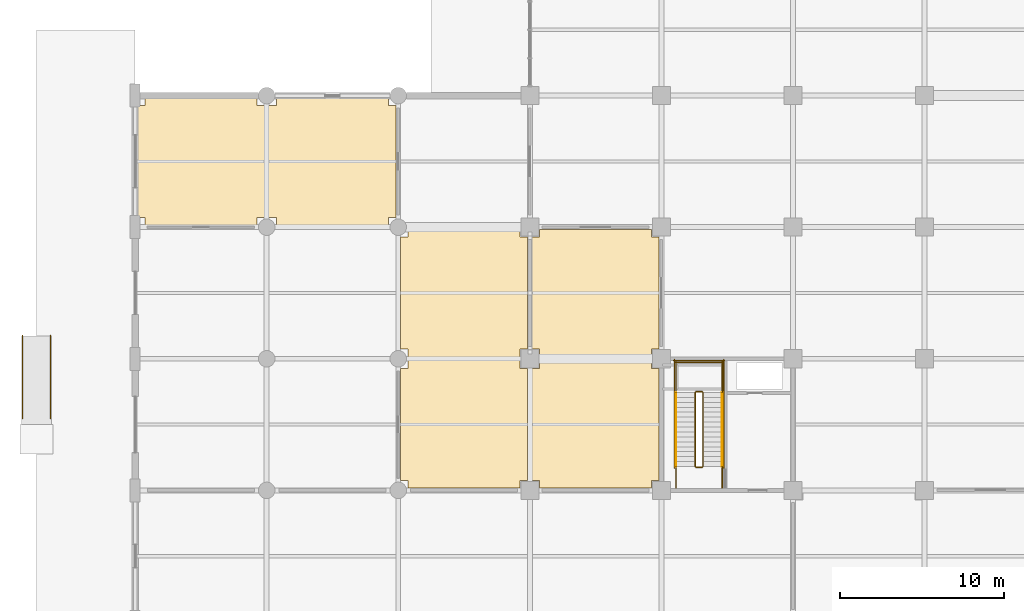
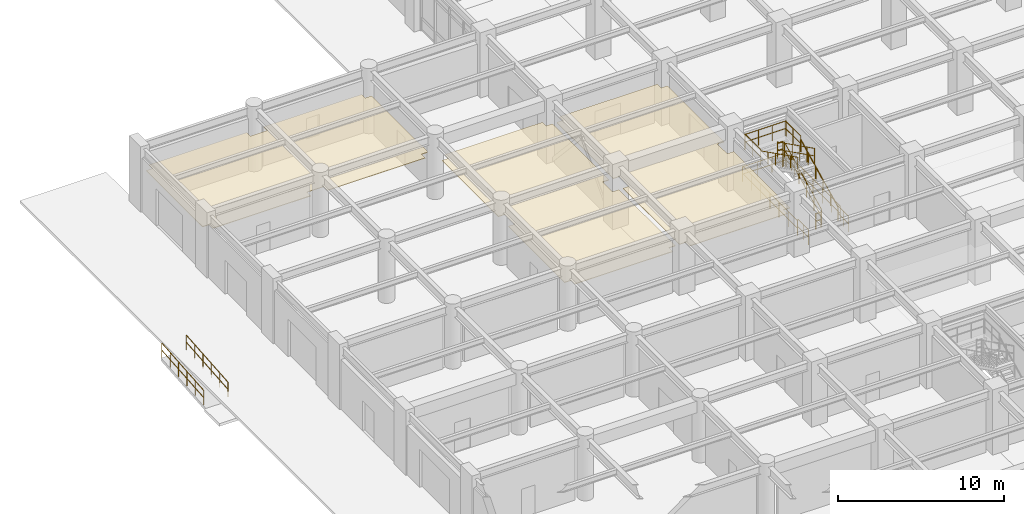
# One storey, part 120 of 125: 16 railings, 3 coverings.
"""IFC4 building model written with IfcOpenShell, lengths in metres."""

from ifc_helpers import new_model, si_unit, direction, frame, origin, origin_2d, place, context, subcontext, project, spatial, polyline, circle, outline, extrude, material, layer, layer_set, type_object, element, save


model = new_model("IFC4")

# Units and contexts
model_context = context("Model", 3, precision=1e-05, world=origin(), true_north=direction((0.0, 1.0)))
body_context = subcontext(model_context, "Body", "Model", "MODEL_VIEW")
ifc_project = project(units=[si_unit("LENGTHUNIT", "METRE"), si_unit("AREAUNIT", "SQUARE_METRE"), si_unit("VOLUMEUNIT", "CUBIC_METRE"), si_unit("PLANEANGLEUNIT", "RADIAN"), si_unit("MASSUNIT", "GRAM", prefix="KILO")], contexts=[model_context])

# Site, building, storey
site_placement = place(None, origin())
site = spatial("IfcSite", under=ifc_project, at=site_placement, CompositionType="ELEMENT")
building_placement = place(site_placement, origin())
building = spatial("IfcBuilding", under=site, at=building_placement, Name="Haebicheon Civic Stadium", CompositionType="ELEMENT")
storey_placement = place(building_placement, origin())
storey = spatial("IfcBuildingStorey", under=building, at=storey_placement, Name="L01", CompositionType="ELEMENT", Elevation=0.0)

# Coverings
ifc_material_1 = material(Name="Perforated mineral-fibre acoustic board", Category="gypsum")
ifc_layer = layer(ifc_material_1, 0.0400390625, Name="Perforated mineral-fibre acoustic board")
ifc_layer_set = layer_set([ifc_layer], Name="Perforated mineral-fibre acoustic board")
covering_type = type_object("IfcCoveringType", Name="COV-CLG-AC", PredefinedType="CEILING", material=ifc_layer_set)
covering_1_placement = place(storey_placement, frame((0.0, 0.0, 2.81005859375)))
element("IfcCovering", 1, at=covering_1_placement, inside=storey, type_object=covering_type, material=ifc_layer_set, Name="L01 Main Spectator Concourse acoustic ceiling", PredefinedType="CEILING", context=body_context, shape_type="SweptSolid", body=[
    extrude(outline(polyline([(24.594970703125, 128.14501953125), (24.594970703125, 128.594970703125), (24.14501953125, 128.594970703125), (24.14501953125, 135.405029296875), (24.594970703125, 135.405029296875), (24.594970703125, 136.594970703125), (24.14501953125, 136.594970703125), (24.14501953125, 143.405029296875), (24.594970703125, 143.405029296875), (24.594970703125, 143.85498046875), (31.405029296875, 143.85498046875), (31.405029296875, 143.405029296875), (31.85498046875, 143.405029296875), (31.85498046875, 136.594970703125), (31.405029296875, 136.594970703125), (31.405029296875, 135.405029296875), (31.85498046875, 135.405029296875), (31.85498046875, 128.594970703125), (31.405029296875, 128.594970703125), (31.405029296875, 128.14501953125), (24.594970703125, 128.14501953125)])), origin(), (0.0, 0.0, 1.0), 0.0400390625),
])
covering_2_placement = place(storey_placement, frame((0.0, 0.0, 2.81005859375)))
element("IfcCovering", 2, at=covering_2_placement, inside=storey, type_object=covering_type, material=ifc_layer_set, Name="L01 Civic Sports Exhibition Gallery acoustic ceiling", PredefinedType="CEILING", context=body_context, shape_type="SweptSolid", body=[
    extrude(outline(polyline([(0.14501953125, 151.405029296875), (0.594970703125, 151.405029296875), (0.594970703125, 151.85498046875), (7.405029296875, 151.85498046875), (7.405029296875, 151.405029296875), (8.594970703125, 151.405029296875), (8.594970703125, 151.85498046875), (15.405029296875, 151.85498046875), (15.405029296875, 151.405029296875), (15.85498046875, 151.405029296875), (15.85498046875, 144.594970703125), (15.405029296875, 144.594970703125), (15.405029296875, 144.14501953125), (8.594970703125, 144.14501953125), (8.594970703125, 144.594970703125), (7.405029296875, 144.594970703125), (7.405029296875, 144.14501953125), (0.594970703125, 144.14501953125), (0.594970703125, 144.594970703125), (0.14501953125, 144.594970703125), (0.14501953125, 151.405029296875)])), origin(), (0.0, 0.0, 1.0), 0.0400390625),
])
covering_3_placement = place(storey_placement, frame((0.0, 0.0, 2.81005859375)))
element("IfcCovering", 3, at=covering_3_placement, inside=storey, type_object=covering_type, material=ifc_layer_set, Name="L01 Supporters' Cafe acoustic ceiling", PredefinedType="CEILING", context=body_context, shape_type="SweptSolid", body=[
    extrude(outline(polyline([(16.594970703125, 128.14501953125), (16.594970703125, 128.594970703125), (16.14501953125, 128.594970703125), (16.14501953125, 135.405029296875), (16.594970703125, 135.405029296875), (16.594970703125, 136.594970703125), (16.14501953125, 136.594970703125), (16.14501953125, 143.405029296875), (16.594970703125, 143.405029296875), (16.594970703125, 143.85498046875), (23.405029296875, 143.85498046875), (23.405029296875, 143.405029296875), (23.85498046875, 143.405029296875), (23.85498046875, 136.594970703125), (23.405029296875, 136.594970703125), (23.405029296875, 135.405029296875), (23.85498046875, 135.405029296875), (23.85498046875, 128.594970703125), (23.405029296875, 128.594970703125), (23.405029296875, 128.14501953125), (16.594970703125, 128.14501953125)])), origin(), (0.0, 0.0, 1.0), 0.0400390625),
])

# Railings
ifc_material_2 = material(Name="Stainless steel 316 and laminated glass", Category="steel")
railing_type_1 = type_object("IfcRailingType", Name="RL-BAL-1200", PredefinedType="BALUSTRADE", material=ifc_material_2)
for number, where, name in (
    (4, (-6.85009765625, 132.360107421875, -0.419921875), "Ramp handrail guard RMP-03 L"),
    (5, (-5.14990234375, 132.360107421875, -0.419921875), "Ramp handrail guard RMP-03 R"),
):
    element("IfcRailing", number, at=place(storey_placement, frame(where)), inside=storey, type_object=railing_type_1, material=ifc_material_2, Name=name, PredefinedType="BALUSTRADE", context=body_context, shape_type="SweptSolid", body=[
        extrude(circle(Radius=0.02392578125, at=origin_2d()), frame((0.0, 0.0, 1.076171875), z_axis=(0.0, 0.996546756972, 0.083033494259), x_axis=(-1.0, 0.0, 0.0)), (0.0, 0.0, 1.0), 5.057373046875),
        extrude(circle(Radius=0.02392578125, at=origin_2d()), frame((0.0, 0.0, 0.550048828125), z_axis=(0.0, 0.996546756972, 0.083033494259), x_axis=(-1.0, 0.0, 0.0)), (0.0, 0.0, 1.0), 5.057373046875),
        extrude(circle(Radius=0.02099609375, at=origin_2d()), origin(), (0.0, 0.0, 1.0), 1.052001953125),
        extrude(circle(Radius=0.02099609375, at=origin_2d()), frame((0.0, 1.008056640625, 0.083984375)), (0.0, 0.0, 1.0), 1.052001953125),
        extrude(circle(Radius=0.02099609375, at=origin_2d()), frame((0.0, 2.015869140625, 0.16796875)), (0.0, 0.0, 1.0), 1.052001953125),
        extrude(circle(Radius=0.02099609375, at=origin_2d()), frame((0.0, 3.02392578125, 0.251953125)), (0.0, 0.0, 1.0), 1.052001953125),
        extrude(circle(Radius=0.02099609375, at=origin_2d()), frame((0.0, 4.03173828125, 0.3359375)), (0.0, 0.0, 1.0), 1.052001953125),
        extrude(circle(Radius=0.02099609375, at=origin_2d()), frame((0.0, 5.039794921875, 0.419921875)), (0.0, 0.0, 1.0), 1.052001953125),
    ])
ifc_material_3 = material(Name="Galvanised painted steel SM355", Category="steel")
railing_type_2 = type_object("IfcRailingType", Name="RL-GRD-1150", PredefinedType="GUARDRAIL", material=ifc_material_3)
railing_1_placement = place(storey_placement, frame((34.530029296875, 129.449951171875, 0.14990234375)))
element("IfcRailing", 6, at=railing_1_placement, inside=storey, type_object=railing_type_2, material=ifc_material_3, Name="L01 ST-05 stair guard 1", PredefinedType="GUARDRAIL", context=body_context, shape_type="SweptSolid", body=[
    extrude(circle(Radius=0.02392578125, at=origin_2d()), frame((0.0, 0.0, 1.1259765625), z_axis=(0.0, 0.894427191, 0.4472135955), x_axis=(-1.0, 0.0, 0.0)), (0.0, 0.0, 1.0), 5.03125),
    extrude(circle(Radius=0.02392578125, at=origin_2d()), frame((0.0, 0.0, 0.574951171875), z_axis=(0.0, 0.894427191, 0.4472135955), x_axis=(-1.0, 0.0, 0.0)), (0.0, 0.0, 1.0), 5.03125),
    extrude(circle(Radius=0.02099609375, at=origin_2d()), origin(), (0.0, 0.0, 1.0), 1.101806640625),
    extrude(circle(Radius=0.02099609375, at=origin_2d()), frame((0.0, 0.89990234375, 0.449951171875)), (0.0, 0.0, 1.0), 1.101806640625),
    extrude(circle(Radius=0.02099609375, at=origin_2d()), frame((0.0, 1.800048828125, 0.89990234375)), (0.0, 0.0, 1.0), 1.101806640625),
    extrude(circle(Radius=0.02099609375, at=origin_2d()), frame((0.0, 2.699951171875, 1.35009765625)), (0.0, 0.0, 1.0), 1.101806640625),
    extrude(circle(Radius=0.02099609375, at=origin_2d()), frame((0.0, 3.60009765625, 1.800048828125)), (0.0, 0.0, 1.0), 1.101806640625),
    extrude(circle(Radius=0.02099609375, at=origin_2d()), frame((0.0, 4.5, 2.25)), (0.0, 0.0, 1.0), 1.101806640625),
])
railing_2_placement = place(storey_placement, frame((34.47998046875, 134.0, 2.39990234375)))
element("IfcRailing", 7, at=railing_2_placement, inside=storey, type_object=railing_type_2, material=ifc_material_3, Name="L01 ST-05 stair guard 2", PredefinedType="GUARDRAIL", context=body_context, shape_type="SweptSolid", body=[
    extrude(circle(Radius=0.02392578125, at=origin_2d()), frame((0.0, 0.0, 1.1259765625), z_axis=(-1.0, 0.0, 0.0), x_axis=(0.0, -1.0, 0.0)), (0.0, 0.0, 1.0), 0.3798828125),
    extrude(circle(Radius=0.02392578125, at=origin_2d()), frame((0.0, 0.0, 0.574951171875), z_axis=(-1.0, 0.0, 0.0), x_axis=(0.0, -1.0, 0.0)), (0.0, 0.0, 1.0), 0.3798828125),
    extrude(circle(Radius=0.02099609375, at=origin_2d()), origin(), (0.0, 0.0, 1.0), 1.101806640625),
    extrude(circle(Radius=0.02099609375, at=origin_2d()), frame((-0.3798828125, 0.0, 0.0)), (0.0, 0.0, 1.0), 1.101806640625),
])
for number, where, name in (
    (8, (35.68994140625, 133.949951171875, 2.39990234375), "L01 ST-05 stair guard 3"),
    (9, (32.889892578125, 133.949951171875, 2.39990234375), "L01 ST-05 stair guard 4"),
):
    element("IfcRailing", number, at=place(storey_placement, frame(where)), inside=storey, type_object=railing_type_2, material=ifc_material_3, Name=name, PredefinedType="GUARDRAIL", context=body_context, shape_type="SweptSolid", body=[
        extrude(circle(Radius=0.02392578125, at=origin_2d()), frame((0.0, 0.0, 1.1259765625), z_axis=(0.0, 1.0, 0.0), x_axis=(-1.0, 0.0, 0.0)), (0.0, 0.0, 1.0), 1.89013671875),
        extrude(circle(Radius=0.02392578125, at=origin_2d()), frame((0.0, 0.0, 0.574951171875), z_axis=(0.0, 1.0, 0.0), x_axis=(-1.0, 0.0, 0.0)), (0.0, 0.0, 1.0), 1.89013671875),
        extrude(circle(Radius=0.02099609375, at=origin_2d()), origin(), (0.0, 0.0, 1.0), 1.101806640625),
        extrude(circle(Radius=0.02099609375, at=origin_2d()), frame((0.0, 0.945068359375, 0.0)), (0.0, 0.0, 1.0), 1.101806640625),
        extrude(circle(Radius=0.02099609375, at=origin_2d()), frame((0.0, 1.89013671875, 0.0)), (0.0, 0.0, 1.0), 1.101806640625),
    ])
railing_3_placement = place(storey_placement, frame((35.739990234375, 135.7900390625, 2.39990234375)))
element("IfcRailing", 10, at=railing_3_placement, inside=storey, type_object=railing_type_2, material=ifc_material_3, Name="L01 ST-05 stair guard 5", PredefinedType="GUARDRAIL", context=body_context, shape_type="SweptSolid", body=[
    extrude(circle(Radius=0.02392578125, at=origin_2d()), frame((0.0, 0.0, 1.1259765625), z_axis=(-1.0, 0.0, 0.0), x_axis=(0.0, -1.0, 0.0)), (0.0, 0.0, 1.0), 2.89990234375),
    extrude(circle(Radius=0.02392578125, at=origin_2d()), frame((0.0, 0.0, 0.574951171875), z_axis=(-1.0, 0.0, 0.0), x_axis=(0.0, -1.0, 0.0)), (0.0, 0.0, 1.0), 2.89990234375),
    extrude(circle(Radius=0.02099609375, at=origin_2d()), origin(), (0.0, 0.0, 1.0), 1.101806640625),
    extrude(circle(Radius=0.02099609375, at=origin_2d()), frame((-0.966552734375, 0.0, 0.0)), (0.0, 0.0, 1.0), 1.101806640625),
    extrude(circle(Radius=0.02099609375, at=origin_2d()), frame((-1.933349609375, 0.0, 0.0)), (0.0, 0.0, 1.0), 1.101806640625),
    extrude(circle(Radius=0.02099609375, at=origin_2d()), frame((-2.89990234375, 0.0, 0.0)), (0.0, 0.0, 1.0), 1.101806640625),
])
railing_4_placement = place(storey_placement, frame((34.050048828125, 133.949951171875, 2.550048828125)))
element("IfcRailing", 11, at=railing_4_placement, inside=storey, type_object=railing_type_2, material=ifc_material_3, Name="L01 ST-05 stair guard 6", PredefinedType="GUARDRAIL", context=body_context, shape_type="SweptSolid", body=[
    extrude(circle(Radius=0.02392578125, at=origin_2d()), frame((0.0, 0.0, 1.1259765625), z_axis=(0.0, -0.894427191, 0.4472135955), x_axis=(1.0, 0.0, 0.0)), (0.0, 0.0, 1.0), 5.03125),
    extrude(circle(Radius=0.02392578125, at=origin_2d()), frame((0.0, 0.0, 0.574951171875), z_axis=(0.0, -0.894427191, 0.4472135955), x_axis=(1.0, 0.0, 0.0)), (0.0, 0.0, 1.0), 5.03125),
    extrude(circle(Radius=0.02099609375, at=origin_2d()), origin(), (0.0, 0.0, 1.0), 1.101806640625),
    extrude(circle(Radius=0.02099609375, at=origin_2d()), frame((0.0, -0.89990234375, 0.449951171875)), (0.0, 0.0, 1.0), 1.101806640625),
    extrude(circle(Radius=0.02099609375, at=origin_2d()), frame((0.0, -1.800048828125, 0.89990234375)), (0.0, 0.0, 1.0), 1.101806640625),
    extrude(circle(Radius=0.02099609375, at=origin_2d()), frame((0.0, -2.699951171875, 1.35009765625)), (0.0, 0.0, 1.0), 1.101806640625),
    extrude(circle(Radius=0.02099609375, at=origin_2d()), frame((0.0, -3.60009765625, 1.800048828125)), (0.0, 0.0, 1.0), 1.101806640625),
    extrude(circle(Radius=0.02099609375, at=origin_2d()), frame((0.0, -4.5, 2.25)), (0.0, 0.0, 1.0), 1.101806640625),
])
railing_5_placement = place(storey_placement, frame((34.47998046875, 129.39990234375, 0.0)))
element("IfcRailing", 12, at=railing_5_placement, inside=storey, type_object=railing_type_2, material=ifc_material_3, Name="L01 ST-05 stair guard 7", PredefinedType="GUARDRAIL", context=body_context, shape_type="SweptSolid", body=[
    extrude(circle(Radius=0.02392578125, at=origin_2d()), frame((0.0, 0.0, 1.1259765625), z_axis=(-1.0, 0.0, 0.0), x_axis=(0.0, -1.0, 0.0)), (0.0, 0.0, 1.0), 0.3798828125),
    extrude(circle(Radius=0.02392578125, at=origin_2d()), frame((0.0, 0.0, 0.574951171875), z_axis=(-1.0, 0.0, 0.0), x_axis=(0.0, -1.0, 0.0)), (0.0, 0.0, 1.0), 0.3798828125),
    extrude(circle(Radius=0.02099609375, at=origin_2d()), origin(), (0.0, 0.0, 1.0), 1.101806640625),
    extrude(circle(Radius=0.02099609375, at=origin_2d()), frame((-0.3798828125, 0.0, 0.0)), (0.0, 0.0, 1.0), 1.101806640625),
])
for number, where, name in (
    (13, (35.68994140625, 128.159912109375, 0.0), "L01 ST-05 stair guard 8"),
    (14, (32.889892578125, 128.159912109375, 0.0), "L01 ST-05 stair guard 9"),
):
    element("IfcRailing", number, at=place(storey_placement, frame(where)), inside=storey, type_object=railing_type_2, material=ifc_material_3, Name=name, PredefinedType="GUARDRAIL", context=body_context, shape_type="SweptSolid", body=[
        extrude(circle(Radius=0.02392578125, at=origin_2d()), frame((0.0, 0.0, 1.1259765625), z_axis=(0.0, 1.0, 0.0), x_axis=(-1.0, 0.0, 0.0)), (0.0, 0.0, 1.0), 1.2900390625),
        extrude(circle(Radius=0.02392578125, at=origin_2d()), frame((0.0, 0.0, 0.574951171875), z_axis=(0.0, 1.0, 0.0), x_axis=(-1.0, 0.0, 0.0)), (0.0, 0.0, 1.0), 1.2900390625),
        extrude(circle(Radius=0.02099609375, at=origin_2d()), origin(), (0.0, 0.0, 1.0), 1.101806640625),
        extrude(circle(Radius=0.02099609375, at=origin_2d()), frame((0.0, 0.64501953125, 0.0)), (0.0, 0.0, 1.0), 1.101806640625),
        extrude(circle(Radius=0.02099609375, at=origin_2d()), frame((0.0, 1.2900390625, 0.0)), (0.0, 0.0, 1.0), 1.101806640625),
    ])
for number, where, name in (
    (15, (35.7900390625, 129.35009765625, 0.0), "L01 ST-05 stair guard 10"),
    (16, (32.7900390625, 129.35009765625, 0.0), "L01 ST-05 stair guard 11"),
):
    element("IfcRailing", number, at=place(storey_placement, frame(where)), inside=storey, type_object=railing_type_2, material=ifc_material_3, Name=name, PredefinedType="GUARDRAIL", context=body_context, shape_type="SweptSolid", body=[
        extrude(circle(Radius=0.02392578125, at=origin_2d()), frame((0.0, 0.0, 1.1259765625), z_axis=(0.0, 1.0, 0.0), x_axis=(-1.0, 0.0, 0.0)), (0.0, 0.0, 1.0), 6.58984375),
        extrude(circle(Radius=0.02392578125, at=origin_2d()), frame((0.0, 0.0, 0.574951171875), z_axis=(0.0, 1.0, 0.0), x_axis=(-1.0, 0.0, 0.0)), (0.0, 0.0, 1.0), 6.58984375),
        extrude(circle(Radius=0.02099609375, at=origin_2d()), origin(), (0.0, 0.0, 1.0), 1.101806640625),
        extrude(circle(Radius=0.02099609375, at=origin_2d()), frame((0.0, 1.098388671875, 0.0)), (0.0, 0.0, 1.0), 1.101806640625),
        extrude(circle(Radius=0.02099609375, at=origin_2d()), frame((0.0, 2.196533203125, 0.0)), (0.0, 0.0, 1.0), 1.101806640625),
        extrude(circle(Radius=0.02099609375, at=origin_2d()), frame((0.0, 3.294921875, 0.0)), (0.0, 0.0, 1.0), 1.101806640625),
        extrude(circle(Radius=0.02099609375, at=origin_2d()), frame((0.0, 4.393310546875, 0.0)), (0.0, 0.0, 1.0), 1.101806640625),
        extrude(circle(Radius=0.02099609375, at=origin_2d()), frame((0.0, 5.491455078125, 0.0)), (0.0, 0.0, 1.0), 1.101806640625),
        extrude(circle(Radius=0.02099609375, at=origin_2d()), frame((0.0, 6.58984375, 0.0)), (0.0, 0.0, 1.0), 1.101806640625),
    ])
railing_6_placement = place(storey_placement, frame((35.840087890625, 135.889892578125, 0.0)))
element("IfcRailing", 17, at=railing_6_placement, inside=storey, type_object=railing_type_2, material=ifc_material_3, Name="L01 ST-05 stair guard 12", PredefinedType="GUARDRAIL", context=body_context, shape_type="SweptSolid", body=[
    extrude(circle(Radius=0.02392578125, at=origin_2d()), frame((0.0, 0.0, 1.1259765625), z_axis=(-1.0, 0.0, 0.0), x_axis=(0.0, -1.0, 0.0)), (0.0, 0.0, 1.0), 3.10009765625),
    extrude(circle(Radius=0.02392578125, at=origin_2d()), frame((0.0, 0.0, 0.574951171875), z_axis=(-1.0, 0.0, 0.0), x_axis=(0.0, -1.0, 0.0)), (0.0, 0.0, 1.0), 3.10009765625),
    extrude(circle(Radius=0.02099609375, at=origin_2d()), origin(), (0.0, 0.0, 1.0), 1.101806640625),
    extrude(circle(Radius=0.02099609375, at=origin_2d()), frame((-1.033447265625, 0.0, 0.0)), (0.0, 0.0, 1.0), 1.101806640625),
    extrude(circle(Radius=0.02099609375, at=origin_2d()), frame((-2.066650390625, 0.0, 0.0)), (0.0, 0.0, 1.0), 1.101806640625),
    extrude(circle(Radius=0.02099609375, at=origin_2d()), frame((-3.10009765625, 0.0, 0.0)), (0.0, 0.0, 1.0), 1.101806640625),
])
ifc_material_4 = material(Name="Stainless steel 316", Category="steel")
railing_type_3 = type_object("IfcRailingType", Name="RL-HND-900", PredefinedType="HANDRAIL", material=ifc_material_4)
railing_7_placement = place(storey_placement, frame((35.68994140625, 129.449951171875, 0.14990234375)))
element("IfcRailing", 18, at=railing_7_placement, inside=storey, type_object=railing_type_3, material=ifc_material_4, Name="L01 ST-05 stair handrail 1", PredefinedType="HANDRAIL", context=body_context, shape_type="SweptSolid", body=[
    extrude(circle(Radius=0.02392578125, at=origin_2d()), frame((0.0, 0.0, 0.8759765625), z_axis=(0.0, 0.894427191, 0.4472135955), x_axis=(-1.0, 0.0, 0.0)), (0.0, 0.0, 1.0), 5.03125),
    extrude(circle(Radius=0.02099609375, at=origin_2d()), origin(), (0.0, 0.0, 1.0), 0.851806640625),
    extrude(circle(Radius=0.02099609375, at=origin_2d()), frame((0.0, 0.89990234375, 0.449951171875)), (0.0, 0.0, 1.0), 0.851806640625),
    extrude(circle(Radius=0.02099609375, at=origin_2d()), frame((0.0, 1.800048828125, 0.89990234375)), (0.0, 0.0, 1.0), 0.851806640625),
    extrude(circle(Radius=0.02099609375, at=origin_2d()), frame((0.0, 2.699951171875, 1.35009765625)), (0.0, 0.0, 1.0), 0.851806640625),
    extrude(circle(Radius=0.02099609375, at=origin_2d()), frame((0.0, 3.60009765625, 1.800048828125)), (0.0, 0.0, 1.0), 0.851806640625),
    extrude(circle(Radius=0.02099609375, at=origin_2d()), frame((0.0, 4.5, 2.25)), (0.0, 0.0, 1.0), 0.851806640625),
])
railing_8_placement = place(storey_placement, frame((32.889892578125, 133.949951171875, 2.550048828125)))
element("IfcRailing", 19, at=railing_8_placement, inside=storey, type_object=railing_type_3, material=ifc_material_4, Name="L01 ST-05 stair handrail 2", PredefinedType="HANDRAIL", context=body_context, shape_type="SweptSolid", body=[
    extrude(circle(Radius=0.02392578125, at=origin_2d()), frame((0.0, 0.0, 0.8759765625), z_axis=(0.0, -0.894427191, 0.4472135955), x_axis=(1.0, 0.0, 0.0)), (0.0, 0.0, 1.0), 5.03125),
    extrude(circle(Radius=0.02099609375, at=origin_2d()), origin(), (0.0, 0.0, 1.0), 0.851806640625),
    extrude(circle(Radius=0.02099609375, at=origin_2d()), frame((0.0, -0.89990234375, 0.449951171875)), (0.0, 0.0, 1.0), 0.851806640625),
    extrude(circle(Radius=0.02099609375, at=origin_2d()), frame((0.0, -1.800048828125, 0.89990234375)), (0.0, 0.0, 1.0), 0.851806640625),
    extrude(circle(Radius=0.02099609375, at=origin_2d()), frame((0.0, -2.699951171875, 1.35009765625)), (0.0, 0.0, 1.0), 0.851806640625),
    extrude(circle(Radius=0.02099609375, at=origin_2d()), frame((0.0, -3.60009765625, 1.800048828125)), (0.0, 0.0, 1.0), 0.851806640625),
    extrude(circle(Radius=0.02099609375, at=origin_2d()), frame((0.0, -4.5, 2.25)), (0.0, 0.0, 1.0), 0.851806640625),
])

save(model, "model.ifc")
